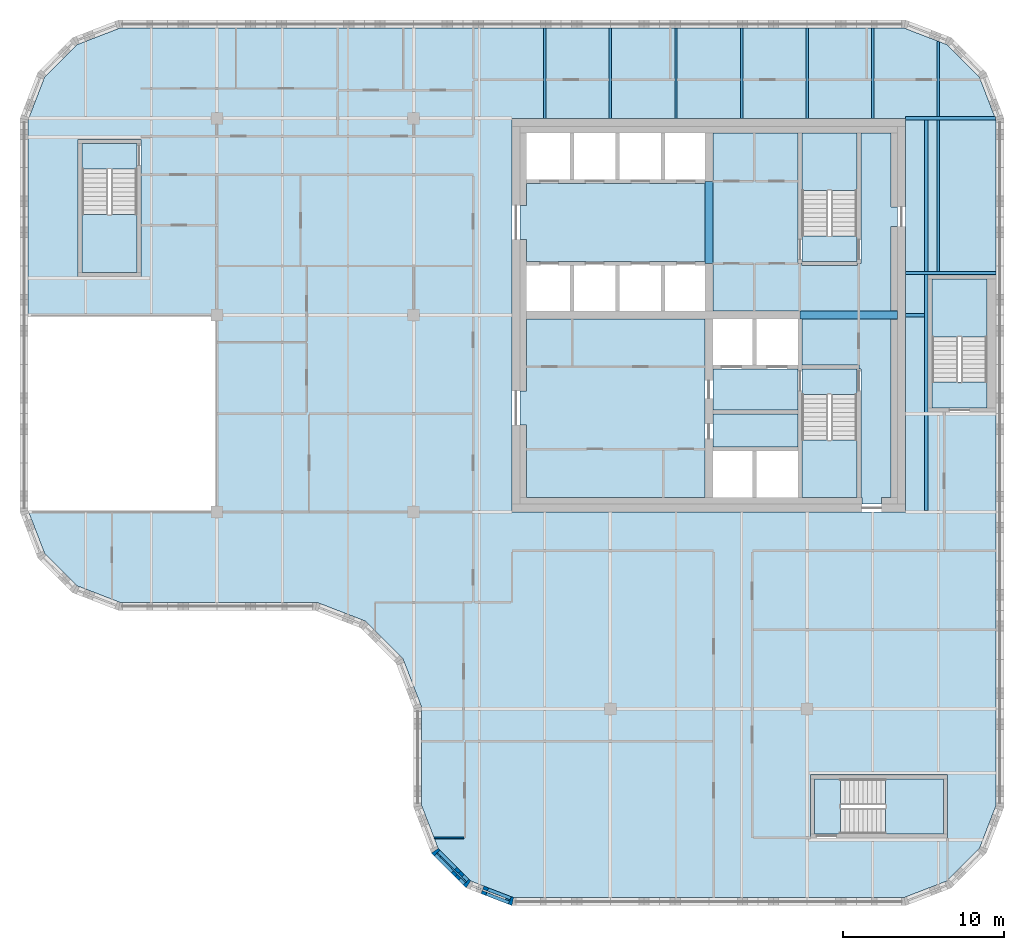
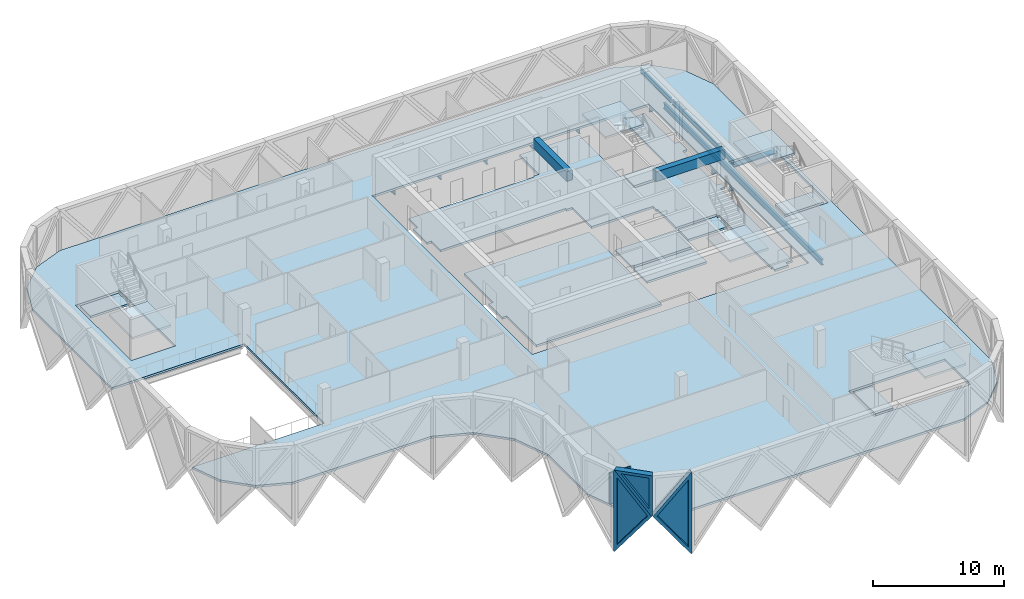
# One storey, part 2 of 15: 15 slabs, 14 beams, 4 walls, 3 plates, 3 openings, 5 elements without a shape of their own.
"""IFC4 building model written with IfcOpenShell, lengths in metres."""

import ifcopenshell
import ifcopenshell.guid

model = None  # the IFC model being written
_history = None  # IfcOwnerHistory: only IFC2X3 demands one
_inside = {}  # id of a spatial element -> (the spatial element, [elements in it])
_under = {}  # id of a project, library or spatial element -> (it, [spatial elements below it])
_declared = {}  # id of a project -> (the project, [libraries it declares])
_typed = {}  # id of a type object -> (the type object, [elements of that type])
_made_of = {}  # id of a material, layer set ... -> (it, [elements and type objects made of it])


def new_model(schema):
    """Start an empty IFC model of exactly this schema.

    Asked for "IFC4X3", IfcOpenShell would pick the latest addendum, in which some entities
    have other attributes; the version numbers below select the first issue.
    IFC2X3 requires an IfcOwnerHistory on every rooted entity: one is made here for all.
    """
    global model, _history
    if schema == "IFC4X3":
        model = ifcopenshell.file(schema_version=(4, 3, 0, 0))
    else:
        model = ifcopenshell.file(schema=schema)
    _inside.clear()
    _under.clear()
    _declared.clear()
    _typed.clear()
    _made_of.clear()
    _history = None
    if model.schema == "IFC2X3":
        org = make("IfcOrganization", Name="unknown")
        user = make(
            "IfcPersonAndOrganization",
            ThePerson=make("IfcPerson", FamilyName="unknown"),
            TheOrganization=org,
        )
        app = make(
            "IfcApplication",
            ApplicationDeveloper=org,
            Version="unknown",
            ApplicationFullName="unknown",
            ApplicationIdentifier="unknown",
        )
        _history = make(
            "IfcOwnerHistory",
            OwningUser=user,
            OwningApplication=app,
            ChangeAction="ADDED",
            CreationDate=0,
        )
    return model


def make(cls, **values):
    """One entity of the class cls with the attributes given. An attribute that is None is left unset."""
    return model.create_entity(
        cls, **{name: value for name, value in values.items() if value is not None}
    )


def rooted(cls, **values):
    """An entity with a GlobalId (a new one), such as an element, a storey or a relation."""
    return make(cls, GlobalId=ifcopenshell.guid.new(), OwnerHistory=_history, **values)


def si_unit(unit_type, name, prefix=None):
    """IfcSIUnit, for example si_unit("LENGTHUNIT", "METRE", prefix="MILLI")."""
    return make("IfcSIUnit", UnitType=unit_type, Prefix=prefix, Name=name)


def assignment(units):
    """IfcUnitAssignment: the units of a project."""
    return None if units is None else make("IfcUnitAssignment", Units=units)


def point(xyz):
    """IfcCartesianPoint."""
    return None if xyz is None else make("IfcCartesianPoint", Coordinates=xyz)


def direction(xyz):
    """IfcDirection."""
    return None if xyz is None else make("IfcDirection", DirectionRatios=xyz)


def frame(location, z_axis=None, x_axis=None):
    """IfcAxis2Placement3D, a coordinate frame: its origin and axes. An axis left out is left unset."""
    return make(
        "IfcAxis2Placement3D",
        Location=point(location),
        Axis=direction(z_axis),
        RefDirection=direction(x_axis),
    )


def frame_2d(location, x_axis=None):
    """IfcAxis2Placement2D, a coordinate frame in the plane: its origin and x axis."""
    return make(
        "IfcAxis2Placement2D", Location=point(location), RefDirection=direction(x_axis)
    )


def origin():
    """The frame at (0, 0, 0) with its axes left unset."""
    return frame((0.0, 0.0, 0.0))


def origin_2d():
    """The frame at (0, 0) in the plane with its x axis left unset."""
    return frame_2d((0.0, 0.0))


def place(relative_to, where):
    """IfcLocalPlacement: puts the frame where relative to a parent placement (None: the world)."""
    return make(
        "IfcLocalPlacement", PlacementRelTo=relative_to, RelativePlacement=where
    )


def context(
    kind, dimensions, precision=None, world=None, true_north=None, identifier=None
):
    """IfcGeometricRepresentationContext, for example the 3D "Model" context."""
    return make(
        "IfcGeometricRepresentationContext",
        ContextIdentifier=identifier,
        ContextType=kind,
        CoordinateSpaceDimension=dimensions,
        Precision=precision,
        WorldCoordinateSystem=world,
        TrueNorth=true_north,
    )


def subcontext(parent, identifier, kind, view, scale=None):
    """IfcGeometricRepresentationSubContext, for example "Body" below "Model"."""
    return make(
        "IfcGeometricRepresentationSubContext",
        ContextIdentifier=identifier,
        ContextType=kind,
        ParentContext=parent,
        TargetScale=scale,
        TargetView=view,
    )


def project(units=None, contexts=None):
    """IfcProject with its units and contexts."""
    return rooted(
        "IfcProject",
        Name="project",
        RepresentationContexts=contexts,
        UnitsInContext=assignment(units),
    )


def spatial(cls, under=None, at=None, **own):
    """A site, building, storey or space (cls), placed at a placement, below another one or the project."""
    s = rooted(cls, ObjectPlacement=at, **own)
    if under is not None:
        _under.setdefault(under.id(), (under, []))[1].append(s)
    return s


def polyline(points):
    """IfcPolyline through the points."""
    return make("IfcPolyline", Points=[point(p) for p in points])


def profile(cls, at=None, kind="AREA", **sizes):
    """A parametric profile (cls). Its sizes go by their IFC names, for example OverallWidth=200.0."""
    return make(cls, ProfileType=kind, Position=at, **sizes)


def rectangle(**sizes):
    """IfcRectangleProfileDef."""
    return profile("IfcRectangleProfileDef", **sizes)


def i_section(**sizes):
    """IfcIShapeProfileDef."""
    return profile("IfcIShapeProfileDef", **sizes)


def outline(outer, holes=None, kind="AREA"):
    """IfcArbitraryClosedProfileDef: a profile drawn as a closed curve; with holes, ...WithVoids."""
    if holes is None:
        return make("IfcArbitraryClosedProfileDef", ProfileType=kind, OuterCurve=outer)
    return make(
        "IfcArbitraryProfileDefWithVoids",
        ProfileType=kind,
        OuterCurve=outer,
        InnerCurves=holes,
    )


def extrude(swept, where, along, depth):
    """IfcExtrudedAreaSolid: the profile swept, set in the frame where, extruded along a direction by depth."""
    return make(
        "IfcExtrudedAreaSolid",
        SweptArea=swept,
        Position=where,
        ExtrudedDirection=direction(along),
        Depth=depth,
    )


def faces_of(points, faces, orient=None, outer=None):
    """IfcFace entities. A face is a list of loops; a loop is a list of indices into points, from 0.

    orient and outer hold one flag for each loop. By default every Orientation is true, the
    first loop of a face is its IfcFaceOuterBound and the others are IfcFaceBound.
    """
    made = []
    for i, loops in enumerate(faces):
        bounds = []
        for j, loop in enumerate(loops):
            is_outer = j == 0 if outer is None else outer[i][j]
            bounds.append(
                make(
                    "IfcFaceOuterBound" if is_outer else "IfcFaceBound",
                    Bound=make("IfcPolyLoop", Polygon=[points[k] for k in loop]),
                    Orientation=True if orient is None else orient[i][j],
                )
            )
        made.append(make("IfcFace", Bounds=bounds))
    return made


def faceted_brep(points, faces, orient=None, outer=None, voids=None):
    """IfcFacetedBrep: a solid bounded by flat faces; with voids (closed shells), ...WithVoids."""
    shared = [point(p) for p in points]
    hull = make("IfcClosedShell", CfsFaces=faces_of(shared, faces, orient, outer))
    if voids is None:
        return make("IfcFacetedBrep", Outer=hull)
    return make(
        "IfcFacetedBrepWithVoids",
        Outer=hull,
        Voids=[
            make(cls, CfsFaces=faces_of(shared, fs, o, b)) for cls, fs, o, b in voids
        ],
    )


def shape(context_of_items, identifier, shape_type, items):
    """IfcShapeRepresentation: the items that make up one representation, for example the "Body"."""
    return make(
        "IfcShapeRepresentation",
        ContextOfItems=context_of_items,
        RepresentationIdentifier=identifier,
        RepresentationType=shape_type,
        Items=items,
    )


def source(mapping_origin, context_of_items, identifier, shape_type, items):
    """IfcRepresentationMap: a shape defined once, which mapped items show again and again."""
    return make(
        "IfcRepresentationMap",
        MappingOrigin=mapping_origin,
        MappedRepresentation=shape(context_of_items, identifier, shape_type, items),
    )


def transform(
    local_origin,
    x_axis=None,
    y_axis=None,
    z_axis=None,
    scale=None,
    scale2=None,
    scale3=None,
    uniform=True,
):
    """IfcCartesianTransformationOperator3D, or its non-uniform kind. x_axis, y_axis, z_axis: its Axis1, 2, 3."""
    if uniform:
        return make(
            "IfcCartesianTransformationOperator3D",
            Axis1=direction(x_axis),
            Axis2=direction(y_axis),
            LocalOrigin=point(local_origin),
            Scale=scale,
            Axis3=direction(z_axis),
        )
    return make(
        "IfcCartesianTransformationOperator3DnonUniform",
        Axis1=direction(x_axis),
        Axis2=direction(y_axis),
        LocalOrigin=point(local_origin),
        Scale=scale,
        Axis3=direction(z_axis),
        Scale2=scale2,
        Scale3=scale3,
    )


def mapped(mapping_source, mapping_target):
    """IfcMappedItem: shows the shape of a source again, moved by a transform."""
    return make(
        "IfcMappedItem", MappingSource=mapping_source, MappingTarget=mapping_target
    )


def material(Name=None, Category=None):
    """IfcMaterial."""
    return make("IfcMaterial", Name=Name, Category=Category)


def layer(
    of_material, thickness, ventilated=None, Name=None, Category=None, Priority=None
):
    """IfcMaterialLayer: one layer of a wall or slab, of a material (None: an air gap)."""
    return make(
        "IfcMaterialLayer",
        Material=of_material,
        LayerThickness=thickness,
        IsVentilated=ventilated,
        Name=Name,
        Category=Category,
        Priority=Priority,
    )


def layer_set(layers, Name=None):
    """IfcMaterialLayerSet."""
    return make("IfcMaterialLayerSet", MaterialLayers=layers, LayerSetName=Name)


def material_profile(
    of_material, cross_section, Name=None, Category=None, Priority=None
):
    """IfcMaterialProfile: a cross section and its material."""
    return make(
        "IfcMaterialProfile",
        Name=Name,
        Material=of_material,
        Profile=cross_section,
        Priority=Priority,
        Category=Category,
    )


def profile_set(profiles, Name=None, composite=None):
    """IfcMaterialProfileSet."""
    return make(
        "IfcMaterialProfileSet",
        Name=Name,
        MaterialProfiles=profiles,
        CompositeProfile=composite,
    )


def made_of(thing, what):
    """Note that an element or type object is made of a material, layer set ...; save() writes the relation."""
    if what is not None:
        _made_of.setdefault(what.id(), (what, []))[1].append(thing)
    return thing


def type_object(cls, material=None, **own):
    """A type object (cls), such as IfcWallType, which elements share."""
    return made_of(rooted(cls, **own), material)


def element(
    cls,
    number,
    at=None,
    inside=None,
    cuts=None,
    type_object=None,
    material=None,
    context=None,
    identifier="Body",
    shape_type=None,
    held_by="IfcProductDefinitionShape",
    body=None,
    shapes=None,
    **own,
):
    """One element of the class cls, such as IfcWall. Its Tag is "e" and its number.

    at: its placement. inside: the storey or other place that contains it. cuts: it is an
    opening in that element (IfcRelVoidsElement). A single representation is given by context,
    identifier, shape_type and body (its items); several are given by shapes. held_by: the class
    of the entity that holds the representations. save() writes the other relations.
    """
    e = rooted(cls, Tag="e%d" % number, ObjectPlacement=at, **own)
    if body is not None:
        shapes = [shape(context, identifier, shape_type, body)]
    if shapes is not None:
        e.Representation = make(held_by, Representations=shapes)
    if inside is not None:
        _inside.setdefault(inside.id(), (inside, []))[1].append(e)
    if cuts is not None:
        rooted(
            "IfcRelVoidsElement", RelatingBuildingElement=cuts, RelatedOpeningElement=e
        )
    if type_object is not None:
        _typed.setdefault(type_object.id(), (type_object, []))[1].append(e)
    return made_of(e, material)


def fill(opening, filler):
    """IfcRelFillsElement: the door or window that sits in an opening."""
    return rooted(
        "IfcRelFillsElement",
        RelatingOpeningElement=opening,
        RelatedBuildingElement=filler,
    )


def aggregate(whole, parts):
    """IfcRelAggregates: a whole, such as a stair, and the parts it consists of."""
    return rooted("IfcRelAggregates", RelatingObject=whole, RelatedObjects=parts)


def save(model, path):
    """Write the relations noted so far, then the file.

    IfcRelAggregates (storeys below a building ...), IfcRelContainedInSpatialStructure (elements
    in a storey), IfcRelDefinesByType, IfcRelAssociatesMaterial and IfcRelDeclares: one each for
    every whole, place, type object, material and project.
    """
    for whole, parts in _under.values():
        aggregate(whole, parts)
    for where, things in _inside.values():
        rooted(
            "IfcRelContainedInSpatialStructure",
            RelatedElements=things,
            RelatingStructure=where,
        )
    for kind, things in _typed.values():
        rooted("IfcRelDefinesByType", RelatedObjects=things, RelatingType=kind)
    for what, things in _made_of.values():
        rooted("IfcRelAssociatesMaterial", RelatedObjects=things, RelatingMaterial=what)
    for by, libraries in _declared.values():
        rooted("IfcRelDeclares", RelatingContext=by, RelatedDefinitions=libraries)
    model.write(path)


model = new_model("IFC4")

# Units and contexts
model_context = context("Model", 3, precision=1e-05, world=origin(), true_north=direction((0.0, 1.0)))
body_context = subcontext(model_context, "Body", "Model", "MODEL_VIEW")
ifc_project = project(units=[si_unit("LENGTHUNIT", "METRE"), si_unit("AREAUNIT", "SQUARE_METRE"), si_unit("VOLUMEUNIT", "CUBIC_METRE"), si_unit("PLANEANGLEUNIT", "RADIAN"), si_unit("MASSUNIT", "GRAM", prefix="KILO")], contexts=[model_context])

# Site, building, storey
site_placement = place(None, origin())
site = spatial("IfcSite", under=ifc_project, at=site_placement, CompositionType="ELEMENT")
building_placement = place(site_placement, origin())
building = spatial("IfcBuilding", under=site, at=building_placement, Name="Tessera Gate Towers", CompositionType="ELEMENT")
storey_placement = place(building_placement, frame((0.0, 0.0, 228.300048828125)))
storey = spatial("IfcBuildingStorey", under=building, at=storey_placement, Name="L57", CompositionType="ELEMENT", Elevation=228.300048828125)

# Beams
ifc_material_1 = material(Name="Concrete C50/60", Category="concrete")
ifc_material_profile_1 = material_profile(ifc_material_1, rectangle(XDim=0.5, YDim=0.89990234375, at=origin_2d()), Name="RC 500x900")
ifc_profile_set_1 = profile_set([ifc_material_profile_1], Name="Concrete C50/60")
beam_type_1 = type_object("IfcBeamType", Name="COUPLING BEAM 500x900 C50/60", PredefinedType="BEAM", material=ifc_profile_set_1)
beam_1_placement = place(storey_placement, frame((48.35009765625, 36.60009765625, 3.050048828125), z_axis=(1.0, 0.0, 0.0), x_axis=(0.0, 1.0, 0.0)))
element("IfcBeam", 1, at=beam_1_placement, inside=storey, type_object=beam_type_1, Name="L57 coupling beam 1", PredefinedType="BEAM", context=body_context, shape_type="SweptSolid", body=[
    extrude(rectangle(XDim=0.5, YDim=0.89990234375, at=origin_2d()), origin(), (0.0, 0.0, 1.0), 6.0498046875),
])
beam_2_placement = place(storey_placement, frame((42.699951171875, 39.800048828125, 3.050048828125), z_axis=(0.0, 1.0, 0.0), x_axis=(-1.0, 0.0, 0.0)))
element("IfcBeam", 2, at=beam_2_placement, inside=storey, type_object=beam_type_1, Name="L57 coupling beam 2", PredefinedType="BEAM", context=body_context, shape_type="SweptSolid", body=[
    extrude(rectangle(XDim=0.5, YDim=0.89990234375, at=origin_2d()), origin(), (0.0, 0.0, 1.0), 5.099853515625),
])
ifc_material_2 = material(Name="Steel 350W", Category="steel")
ifc_material_profile_2 = material_profile(ifc_material_2, i_section(OverallWidth=0.208984375, OverallDepth=0.532958984375, WebThickness=0.01025390625, FlangeThickness=0.015625, at=origin_2d()), Name="W530x92")
ifc_profile_set_2 = profile_set([ifc_material_profile_2], Name="Steel 350W")
beam_type_2 = type_object("IfcBeamType", Name="FLOOR GIRDER W530x92", PredefinedType="BEAM", material=ifc_profile_set_2)
beam_3_placement = place(storey_placement, frame((54.89892578125, 36.60009765625, -0.466552734375), z_axis=(1.0, 0.0, 0.0), x_axis=(0.0, 1.0, 0.0)))
element("IfcBeam", 3, at=beam_3_placement, inside=storey, type_object=beam_type_2, Name="T1-GD-L57-5784", PredefinedType="BEAM", context=body_context, shape_type="SweptSolid", body=[
    extrude(i_section(OverallWidth=0.208984375, OverallDepth=0.532958984375, WebThickness=0.01025390625, FlangeThickness=0.015625, at=origin_2d()), origin(), (0.0, 0.0, 1.0), 1.176513671875),
])
beam_4_placement = place(storey_placement, frame((54.90087890625, 48.800048828125, -0.466552734375), z_axis=(1.0, 0.0, 0.0), x_axis=(0.0, 1.0, 0.0)))
element("IfcBeam", 4, at=beam_4_placement, inside=storey, type_object=beam_type_2, Name="T1-GD-L57-5788", PredefinedType="BEAM", context=body_context, shape_type="SweptSolid", body=[
    extrude(i_section(OverallWidth=0.208984375, OverallDepth=0.532958984375, WebThickness=0.01025390625, FlangeThickness=0.015625, at=origin_2d()), origin(), (0.0, 0.0, 1.0), 5.564208984375),
])
beam_5_placement = place(storey_placement, frame((54.89892578125, 39.219970703125, -0.466552734375), z_axis=(1.0, 0.0, 0.0), x_axis=(0.0, 1.0, 0.0)))
element("IfcBeam", 5, at=beam_5_placement, inside=storey, type_object=beam_type_2, Name="T1-GD-L57-5806", PredefinedType="BEAM", context=body_context, shape_type="SweptSolid", body=[
    extrude(i_section(OverallWidth=0.208984375, OverallDepth=0.532958984375, WebThickness=0.01025390625, FlangeThickness=0.015625, at=origin_2d()), origin(), (0.0, 0.0, 1.0), 5.60205078125),
])
beam_6_placement = place(storey_placement, frame((56.179931640625, 24.50439453125, -0.466552734375), z_axis=(0.0, 1.0, 0.0), x_axis=(-1.0, 0.0, 0.0)))
element("IfcBeam", 6, at=beam_6_placement, inside=storey, type_object=beam_type_2, Name="T1-GD-L57-5807", PredefinedType="BEAM", context=body_context, shape_type="SweptSolid", body=[
    extrude(i_section(OverallWidth=0.208984375, OverallDepth=0.532958984375, WebThickness=0.01025390625, FlangeThickness=0.015625, at=origin_2d()), origin(), (0.0, 0.0, 1.0), 24.191162109375),
])
ifc_material_3 = material(Name="Steel 350W", Category="steel")
ifc_material_profile_3 = material_profile(ifc_material_3, i_section(OverallWidth=0.153076171875, OverallDepth=0.455078125, WebThickness=0.008056640625, FlangeThickness=0.01318359375, at=origin_2d()), Name="W460x60")
ifc_profile_set_3 = profile_set([ifc_material_profile_3], Name="Steel 350W")
beam_type_3 = type_object("IfcBeamType", Name="FLOOR SECONDARY W460x60", PredefinedType="BEAM", material=ifc_profile_set_3)
for number, where, z_axis, x_axis, name in (
    (7, (32.533203125, 48.800048828125, -0.427490234375), (0.0, 1.0, 0.0), (-1.0, 0.0, 0.0), "T1-BM-L57-5829"),
    (8, (36.60009765625, 48.800048828125, -0.427490234375), (0.0, 1.0, 0.0), (-1.0, 0.0, 0.0), "T1-BM-L57-5830"),
    (9, (40.666748046875, 48.800048828125, -0.427490234375), (0.0, 1.0, 0.0), (-1.0, 0.0, 0.0), "T1-BM-L57-5833"),
    (10, (44.7333984375, 48.800048828125, -0.427490234375), (0.0, 1.0, 0.0), (-1.0, 0.0, 0.0), "T1-BM-L57-5836"),
    (11, (48.800048828125, 48.800048828125, -0.427490234375), (0.0, 1.0, 0.0), (-1.0, 0.0, 0.0), "T1-BM-L57-5837"),
    (12, (52.86669921875, 48.800048828125, -0.427490234375), (0.0, 1.0, 0.0), (-1.0, 0.0, 0.0), "T1-BM-L57-5841"),
):
    element("IfcBeam", number, at=place(storey_placement, frame(where, z_axis=z_axis, x_axis=x_axis)), inside=storey, type_object=beam_type_3, Name=name, PredefinedType="BEAM", context=body_context, shape_type="SweptSolid", body=[
        extrude(i_section(OverallWidth=0.153076171875, OverallDepth=0.455078125, WebThickness=0.008056640625, FlangeThickness=0.01318359375, at=origin_2d()), origin(), (0.0, 0.0, 1.0), 5.599853515625),
    ])
beam_7_placement = place(storey_placement, frame((56.933349609375, 39.324462890625, -0.427490234375), z_axis=(0.0, 1.0, 0.0), x_axis=(-1.0, 0.0, 0.0)))
element("IfcBeam", 13, at=beam_7_placement, inside=storey, type_object=beam_type_3, Name="T1-BM-L57-5846", PredefinedType="BEAM", context=body_context, shape_type="SweptSolid", body=[
    extrude(i_section(OverallWidth=0.153076171875, OverallDepth=0.455078125, WebThickness=0.008056640625, FlangeThickness=0.01318359375, at=origin_2d()), origin(), (0.0, 0.0, 1.0), 9.37109375),
])
beam_8_placement = place(storey_placement, frame((56.933349609375, 48.904541015625, -0.427490234375), z_axis=(0.0, 1.0, 0.0), x_axis=(-1.0, 0.0, 0.0)))
element("IfcBeam", 14, at=beam_8_placement, inside=storey, type_object=beam_type_3, Name="T1-BM-L57-5847", PredefinedType="BEAM", context=body_context, shape_type="SweptSolid", body=[
    extrude(i_section(OverallWidth=0.153076171875, OverallDepth=0.455078125, WebThickness=0.008056640625, FlangeThickness=0.01318359375, at=origin_2d()), origin(), (0.0, 0.0, 1.0), 4.675048828125),
])

# Slabs
ifc_material_4 = material(Name="Concrete C35/45", Category="concrete")
ifc_layer_1 = layer(ifc_material_4, 0.199951171875)
ifc_layer_set_1 = layer_set([ifc_layer_1], Name="COMPOSITE FLOOR 200")
slab_type_1 = type_object("IfcSlabType", Name="COMPOSITE FLOOR 200", PredefinedType="FLOOR", material=ifc_layer_set_1)
slab_1_placement = place(storey_placement, frame((0.0, 0.0, -0.199951171875)))
element("IfcSlab", 15, at=slab_1_placement, inside=storey, type_object=slab_type_1, Name="T1-L57", PredefinedType="FLOOR", context=body_context, shape_type="SweptSolid", body=[
    extrude(outline(polyline([(0.5, 36.60009765625), (12.199951171875, 36.60009765625), (12.199951171875, 24.39990234375), (0.535888671875, 24.39990234375), (1.526123046875, 21.8330078125), (3.533203125, 19.826171875), (6.193115234375, 18.800048828125), (18.39306640625, 18.800048828125), (21.42431640625, 17.630615234375), (23.730712890625, 15.32421875), (24.89990234375, 12.293212890625), (24.89990234375, 6.193115234375), (25.926025390625, 3.533203125), (27.93310546875, 1.526123046875), (30.593017578125, 0.5), (54.806884765625, 0.5), (57.466796875, 1.526123046875), (59.473876953125, 3.533203125), (60.5, 6.193115234375), (60.5, 48.706787109375), (59.473876953125, 51.366943359375), (57.466796875, 53.373779296875), (54.806884765625, 54.39990234375), (6.193115234375, 54.39990234375), (3.533203125, 53.373779296875), (1.526123046875, 51.366943359375), (0.5, 48.706787109375), (0.5, 36.60009765625)]), holes=[polyline([(3.60009765625, 39.0), (3.60009765625, 47.5), (7.5, 47.5), (7.5, 39.0), (3.60009765625, 39.0)]), polyline([(30.5, 24.39990234375), (30.5, 48.800048828125), (54.89990234375, 48.800048828125), (54.89990234375, 24.39990234375), (30.5, 24.39990234375)]), polyline([(49.0, 4.199951171875), (49.0, 8.10009765625), (57.5, 8.10009765625), (57.5, 4.199951171875), (49.0, 4.199951171875)]), polyline([(56.300048828125, 30.60009765625), (56.300048828125, 39.10009765625), (60.199951171875, 39.10009765625), (60.199951171875, 30.60009765625), (56.300048828125, 30.60009765625)])]), origin(), (0.0, 0.0, 1.0), 0.199951171875),
])
ifc_material_5 = material(Name="Concrete C35/45", Category="concrete")
ifc_layer_2 = layer(ifc_material_5, 0.199951171875)
ifc_layer_set_2 = layer_set([ifc_layer_2], Name="CORE FLOOR SLAB 200")
slab_type_2 = type_object("IfcSlabType", Name="CORE FLOOR SLAB 200", PredefinedType="FLOOR", material=ifc_layer_set_2)
slab_2_placement = place(storey_placement, frame((0.0, 0.0, -0.199951171875)))
element("IfcSlab", 16, at=slab_2_placement, inside=storey, type_object=slab_type_2, Name="L57 core floor slab", PredefinedType="FLOOR", context=body_context, shape_type="SweptSolid", body=[
    extrude(outline(polyline([(42.449951171875, 44.89990234375), (42.449951171875, 44.77490234375), (31.39990234375, 44.77490234375), (31.39990234375, 43.39990234375), (31.0, 43.39990234375), (31.0, 41.300048828125), (31.39990234375, 41.300048828125), (31.39990234375, 39.925048828125), (42.449951171875, 39.925048828125), (42.449951171875, 39.800048828125), (42.949951171875, 39.800048828125), (42.949951171875, 36.85009765625), (48.35009765625, 36.85009765625), (48.35009765625, 36.35009765625), (48.47509765625, 36.35009765625), (48.47509765625, 33.52490234375), (52.0, 33.52490234375), (52.0, 33.27490234375), (52.125, 33.27490234375), (52.125, 25.300048828125), (52.199951171875, 25.300048828125), (52.199951171875, 24.89990234375), (53.39990234375, 24.89990234375), (53.39990234375, 25.300048828125), (54.0, 25.300048828125), (54.0, 36.320068359375), (54.39990234375, 36.320068359375), (54.39990234375, 36.8798828125), (54.0, 36.8798828125), (54.0, 42.10009765625), (54.39990234375, 42.10009765625), (54.39990234375, 43.300048828125), (54.0, 43.300048828125), (54.0, 47.89990234375), (52.125, 47.89990234375), (52.125, 39.800048828125), (51.875, 39.800048828125), (51.875, 39.675048828125), (48.47509765625, 39.675048828125), (48.47509765625, 39.800048828125), (48.22509765625, 39.800048828125), (48.22509765625, 47.89990234375), (42.949951171875, 47.89990234375), (42.949951171875, 44.89990234375), (42.449951171875, 44.89990234375)])), origin(), (0.0, 0.0, 1.0), 0.199951171875),
])
slab_3_placement = place(storey_placement, frame((0.0, 0.0, -0.199951171875)))
element("IfcSlab", 17, at=slab_3_placement, inside=storey, type_object=slab_type_2, Name="L57 core floor slab", PredefinedType="FLOOR", context=body_context, shape_type="SweptSolid", body=[
    extrude(outline(polyline([(31.39990234375, 36.35009765625), (31.39990234375, 31.89990234375), (31.0, 31.89990234375), (31.0, 29.800048828125), (31.39990234375, 29.800048828125), (31.39990234375, 25.300048828125), (42.449951171875, 25.300048828125), (42.449951171875, 36.35009765625), (31.39990234375, 36.35009765625)])), origin(), (0.0, 0.0, 1.0), 0.199951171875),
])
slab_4_placement = place(storey_placement, frame((0.0, 0.0, -0.199951171875)))
element("IfcSlab", 18, at=slab_4_placement, inside=storey, type_object=slab_type_2, Name="L57 core floor slab", PredefinedType="FLOOR", context=body_context, shape_type="SweptSolid", body=[
    extrude(outline(polyline([(42.949951171875, 33.27490234375), (42.949951171875, 30.72509765625), (48.22509765625, 30.72509765625), (48.22509765625, 33.27490234375), (42.949951171875, 33.27490234375)])), origin(), (0.0, 0.0, 1.0), 0.199951171875),
])
slab_5_placement = place(storey_placement, frame((0.0, 0.0, -0.199951171875)))
element("IfcSlab", 19, at=slab_5_placement, inside=storey, type_object=slab_type_2, Name="L57 core floor slab", PredefinedType="FLOOR", context=body_context, shape_type="SweptSolid", body=[
    extrude(outline(polyline([(48.22509765625, 30.47509765625), (42.949951171875, 30.47509765625), (42.949951171875, 28.425048828125), (48.22509765625, 28.425048828125), (48.22509765625, 30.47509765625)])), origin(), (0.0, 0.0, 1.0), 0.199951171875),
])
slab_6_placement = place(storey_placement, frame((0.0, 0.0, -0.199951171875)))
element("IfcSlab", 20, at=slab_6_placement, inside=storey, type_object=slab_type_2, Name="L57 core floor slab", PredefinedType="FLOOR", context=body_context, shape_type="SweptSolid", body=[
    extrude(outline(polyline([(51.875, 31.675048828125), (51.875, 33.27490234375), (48.47509765625, 33.27490234375), (48.47509765625, 31.675048828125), (51.875, 31.675048828125)])), origin(), (0.0, 0.0, 1.0), 0.199951171875),
])
slab_7_placement = place(storey_placement, frame((0.0, 0.0, -0.199951171875)))
element("IfcSlab", 21, at=slab_7_placement, inside=storey, type_object=slab_type_2, Name="L57 core floor slab", PredefinedType="FLOOR", context=body_context, shape_type="SweptSolid", body=[
    extrude(outline(polyline([(48.47509765625, 41.52490234375), (48.47509765625, 39.925048828125), (51.875, 39.925048828125), (51.875, 41.52490234375), (48.47509765625, 41.52490234375)])), origin(), (0.0, 0.0, 1.0), 0.199951171875),
])
slab_8_placement = place(storey_placement, frame((0.0, 0.0, -0.199951171875)))
element("IfcSlab", 22, at=slab_8_placement, inside=storey, type_object=slab_type_2, Name="L57 ST3 floor landing", PredefinedType="FLOOR", context=body_context, shape_type="SweptSolid", body=[
    extrude(outline(polyline([(3.85009765625, 47.25), (3.85009765625, 45.64990234375), (7.25, 45.64990234375), (7.25, 47.25), (3.85009765625, 47.25)])), origin(), (0.0, 0.0, 1.0), 0.199951171875),
])
slab_9_placement = place(storey_placement, frame((0.0, 0.0, -0.199951171875)))
element("IfcSlab", 23, at=slab_9_placement, inside=storey, type_object=slab_type_2, Name="L57 ST4 floor landing", PredefinedType="FLOOR", context=body_context, shape_type="SweptSolid", body=[
    extrude(outline(polyline([(49.25, 4.449951171875), (50.85009765625, 4.449951171875), (50.85009765625, 7.85009765625), (49.25, 7.85009765625), (49.25, 4.449951171875)])), origin(), (0.0, 0.0, 1.0), 0.199951171875),
])
slab_10_placement = place(storey_placement, frame((0.0, 0.0, -0.199951171875)))
element("IfcSlab", 24, at=slab_10_placement, inside=storey, type_object=slab_type_2, Name="L57 ST5 floor landing", PredefinedType="FLOOR", context=body_context, shape_type="SweptSolid", body=[
    extrude(outline(polyline([(59.949951171875, 30.85009765625), (59.949951171875, 32.449951171875), (56.550048828125, 32.449951171875), (56.550048828125, 30.85009765625), (59.949951171875, 30.85009765625)])), origin(), (0.0, 0.0, 1.0), 0.199951171875),
])

# Stair, slab
ifc_material_6 = material(Name="Concrete C40/50", Category="concrete")
stair_type_1 = type_object("IfcStairType", Name="EXIT STAIR ST1 1600", PredefinedType="HALF_TURN_STAIR", material=ifc_material_6)
stair_1_placement = place(storey_placement, origin())
stair_1 = element("IfcStair", 25, at=stair_1_placement, inside=storey, type_object=stair_type_1, Name="L57 Protected Exit Stair ST1", PredefinedType="HALF_TURN_STAIR")
ifc_material_7 = material(Name="Concrete C40/50", Category="concrete")
ifc_layer_3 = layer(ifc_material_7, 0.199951171875)
ifc_layer_set_3 = layer_set([ifc_layer_3], Name="EXIT STAIR LANDING 200")
slab_type_3 = type_object("IfcSlabType", Name="EXIT STAIR LANDING 200", PredefinedType="LANDING", material=ifc_layer_set_3)
slab_11_placement = place(storey_placement, frame((0.0, 0.0, 1.699951171875)))
slab_11 = element("IfcSlab", 26, at=slab_11_placement, type_object=slab_type_3, Name="ST1 landing 1", PredefinedType="LANDING", context=body_context, shape_type="SweptSolid", body=[
    extrude(outline(polyline([(48.47509765625, 28.875), (48.47509765625, 25.300048828125), (51.875, 25.300048828125), (51.875, 28.875), (48.47509765625, 28.875)])), origin(), (0.0, 0.0, 1.0), 0.199951171875),
])
aggregate(stair_1, [slab_11])

ifc_material_8 = material(Name="Concrete C40/50", Category="concrete")
stair_type_2 = type_object("IfcStairType", Name="EXIT STAIR ST2 1600", PredefinedType="HALF_TURN_STAIR", material=ifc_material_8)
stair_2_placement = place(storey_placement, origin())
stair_2 = element("IfcStair", 27, at=stair_2_placement, inside=storey, type_object=stair_type_2, Name="L57 Protected Exit Stair ST2", PredefinedType="HALF_TURN_STAIR")
slab_12_placement = place(storey_placement, frame((0.0, 0.0, 1.699951171875)))
slab_12 = element("IfcSlab", 28, at=slab_12_placement, type_object=slab_type_3, Name="ST2 landing 1", PredefinedType="LANDING", context=body_context, shape_type="SweptSolid", body=[
    extrude(outline(polyline([(51.875, 44.324951171875), (51.875, 47.89990234375), (48.47509765625, 47.89990234375), (48.47509765625, 44.324951171875), (51.875, 44.324951171875)])), origin(), (0.0, 0.0, 1.0), 0.199951171875),
])
aggregate(stair_2, [slab_12])

ifc_material_9 = material(Name="Concrete C40/50", Category="concrete")
stair_type_3 = type_object("IfcStairType", Name="EXIT STAIR ST3 1600", PredefinedType="HALF_TURN_STAIR", material=ifc_material_9)
stair_3_placement = place(storey_placement, origin())
stair_3 = element("IfcStair", 29, at=stair_3_placement, inside=storey, type_object=stair_type_3, Name="L57 West Exit Stair ST3", PredefinedType="HALF_TURN_STAIR")
slab_13_placement = place(storey_placement, frame((0.0, 0.0, 1.699951171875)))
slab_13 = element("IfcSlab", 30, at=slab_13_placement, type_object=slab_type_3, Name="ST3 landing 1", PredefinedType="LANDING", context=body_context, shape_type="SweptSolid", body=[
    extrude(outline(polyline([(3.85009765625, 42.85009765625), (3.85009765625, 39.25), (7.25, 39.25), (7.25, 42.85009765625), (3.85009765625, 42.85009765625)])), origin(), (0.0, 0.0, 1.0), 0.199951171875),
])
aggregate(stair_3, [slab_13])

ifc_material_10 = material(Name="Concrete C40/50", Category="concrete")
stair_type_4 = type_object("IfcStairType", Name="EXIT STAIR ST4 1600", PredefinedType="HALF_TURN_STAIR", material=ifc_material_10)
stair_4_placement = place(storey_placement, origin())
stair_4 = element("IfcStair", 31, at=stair_4_placement, inside=storey, type_object=stair_type_4, Name="L57 South Exit Stair ST4", PredefinedType="HALF_TURN_STAIR")
slab_14_placement = place(storey_placement, frame((0.0, 0.0, 1.699951171875)))
slab_14 = element("IfcSlab", 32, at=slab_14_placement, type_object=slab_type_3, Name="ST4 landing 1", PredefinedType="LANDING", context=body_context, shape_type="SweptSolid", body=[
    extrude(outline(polyline([(53.64990234375, 4.449951171875), (57.25, 4.449951171875), (57.25, 7.85009765625), (53.64990234375, 7.85009765625), (53.64990234375, 4.449951171875)])), origin(), (0.0, 0.0, 1.0), 0.199951171875),
])
aggregate(stair_4, [slab_14])

ifc_material_11 = material(Name="Concrete C40/50", Category="concrete")
stair_type_5 = type_object("IfcStairType", Name="EXIT STAIR ST5 1600", PredefinedType="HALF_TURN_STAIR", material=ifc_material_11)
stair_5_placement = place(storey_placement, origin())
stair_5 = element("IfcStair", 33, at=stair_5_placement, inside=storey, type_object=stair_type_5, Name="L57 East Exit Stair ST5", PredefinedType="HALF_TURN_STAIR")
slab_15_placement = place(storey_placement, frame((0.0, 0.0, 1.699951171875)))
slab_15 = element("IfcSlab", 34, at=slab_15_placement, type_object=slab_type_3, Name="ST5 landing 1", PredefinedType="LANDING", context=body_context, shape_type="SweptSolid", body=[
    extrude(outline(polyline([(59.949951171875, 35.25), (59.949951171875, 38.85009765625), (56.550048828125, 38.85009765625), (56.550048828125, 35.25), (59.949951171875, 35.25)])), origin(), (0.0, 0.0, 1.0), 0.199951171875),
])
aggregate(stair_5, [slab_15])

# Wall
ifc_material_12 = material(Name="Glass", Category="glass")
ifc_layer_4 = layer(ifc_material_12, 0.10009765625)
ifc_layer_set_4 = layer_set([ifc_layer_4], Name="GLAZED PARTITION 100")
wall_type_1 = type_object("IfcWallType", Name="GLAZED PARTITION 100", PredefinedType="PARTITIONING", material=ifc_layer_set_4)
wall_1_placement = place(storey_placement, frame((25.668701171875, 4.199951171875, 0.0), z_axis=(0.0, 0.0, 1.0), x_axis=(1.0, 0.0, 0.0)))
element("IfcWall", 35, at=wall_1_placement, inside=storey, type_object=wall_type_1, Name="T1-L57-PW-003", PredefinedType="PARTITIONING", context=body_context, shape_type="SweptSolid", body=[
    extrude(rectangle(XDim=1.855224609375, YDim=0.10009765625, at=frame_2d((0.927734375, 0.0))), origin(), (0.0, 0.0, 1.0), 2.887939453125),
])

# Wall, opening, plate
ifc_material_13 = material(Name="Precast concrete C60/75 white", Category="concrete")
ifc_layer_5 = layer(ifc_material_13, 0.5)
ifc_layer_set_5 = layer_set([ifc_layer_5], Name="TS3 corner tessera")
wall_type_2 = type_object("IfcWallType", Name="TS3 corner tessera", PredefinedType="SOLIDWALL", material=ifc_layer_set_5)
shared_shape_1 = source(origin(), body_context, "Body", "Brep", [
    faceted_brep([(0.052978515625, -0.25, 0.0), (2.9970703125, -0.25, 3.800048828125), (0.052978515625, -0.25, 7.60009765625), (0.0, -0.25, 7.531982421875), (0.0, -0.25, 0.068115234375), (0.10595703125, 0.25, 7.53173828125), (2.944091796875, 0.25, 3.8681640625), (2.944091796875, 0.25, 3.73193359375), (0.10595703125, 0.25, 0.068359375), (2.9970703125, 0.000244140625, 3.800048828125), (0.052978515625, 0.0, 0.0), (0.052978515625, 0.0, 7.60009765625)], [[[0, 1, 2, 3, 4]], [[5, 6, 7, 8]], [[8, 7, 9, 1, 0, 10]], [[6, 5, 11, 2, 1, 9]], [[3, 2, 11]], [[10, 0, 4]], [[8, 10, 4, 3, 11, 5]], [[9, 7, 6]]]),
])
wall_2_placement = place(storey_placement, frame((25.674560546875, 3.43115234375, -3.800048828125), z_axis=(0.0, 0.0, 1.0), x_axis=(0.707106781187, -0.707106781187, 0.0)))
wall_2 = element("IfcWall", 36, at=wall_2_placement, inside=storey, type_object=wall_type_2, Name="Precast corner tessera T1 TS3-1344", PredefinedType="SOLIDWALL", context=body_context, shape_type="MappedRepresentation", body=[
    mapped(shared_shape_1, transform((0.0, 0.0, 0.0), scale=1.0)),
])
shared_shape_2 = source(origin(), body_context, "Body", "SweptSolid", [
    extrude(outline(polyline([(0.2529296875, 0.666259765625), (2.680908203125, 3.800048828125), (0.2529296875, 6.93359375), (0.2529296875, 0.666259765625)])), frame((0.0, 0.260009765625, 0.0), z_axis=(0.0, -1.0, 0.0), x_axis=(1.0, 0.0, 0.0)), (0.0, 0.0, 1.0), 0.52001953125),
])
opening_1_placement = place(wall_2_placement, origin())
opening_1 = element("IfcOpeningElement", 37, at=opening_1_placement, cuts=wall_2, Name="Opening T1-PL2-2114", PredefinedType="OPENING", context=body_context, shape_type="MappedRepresentation", body=[
    mapped(shared_shape_2, transform((0.0, 0.0, 0.0), scale=1.0)),
])
ifc_material_14 = material(Name="Low-e laminated glass", Category="glass")
ifc_layer_6 = layer(ifc_material_14, 0.06005859375)
ifc_layer_set_6 = layer_set([ifc_layer_6], Name="PL2 rhombic pane")
plate_type_1 = type_object("IfcPlateType", Name="PL2 rhombic pane", PredefinedType="SHEET", material=ifc_layer_set_6)
shared_shape_3 = source(origin(), body_context, "Body", "SweptSolid", [
    extrude(outline(polyline([(0.2529296875, 0.666259765625), (2.680908203125, 3.800048828125), (0.2529296875, 6.93359375), (0.2529296875, 0.666259765625)])), frame((0.0, 0.030029296875, 0.0), z_axis=(0.0, -1.0, 0.0), x_axis=(1.0, 0.0, 0.0)), (0.0, 0.0, 1.0), 0.06005859375),
])
plate_1_placement = place(opening_1_placement, origin())
plate_1 = element("IfcPlate", 38, at=plate_1_placement, inside=storey, type_object=plate_type_1, Name="Glass pane T1 PL2-2114", PredefinedType="SHEET", context=body_context, shape_type="MappedRepresentation", body=[
    mapped(shared_shape_3, transform((0.0, 0.0, 0.0), scale=1.0)),
])
fill(opening_1, plate_1)

shared_shape_4 = source(origin(), body_context, "Body", "Brep", [
    faceted_brep([(2.950439453125, -0.25, 0.0), (2.9970703125, -0.25, 0.05908203125), (2.9970703125, -0.25, 7.541015625), (2.950439453125, -0.25, 7.60009765625), (0.0, -0.25, 3.800048828125), (0.052978515625, 0.25, 3.8681640625), (2.904052734375, 0.25, 7.540283203125), (2.904052734375, 0.25, 0.059814453125), (0.052978515625, 0.25, 3.73193359375), (2.950439453125, 0.00048828125, 0.0), (2.950439453125, 0.00048828125, 7.60009765625), (0.0, 0.0, 3.800048828125)], [[[0, 1, 2, 3, 4]], [[5, 6, 7, 8]], [[1, 0, 9]], [[10, 3, 2]], [[6, 5, 11, 4, 3, 10]], [[8, 7, 9, 0, 4, 11]], [[8, 11, 5]], [[1, 9, 7, 6, 10, 2]]]),
])
wall_3_placement = place(storey_placement, frame((27.793701171875, 1.31201171875, -3.800048828125), z_axis=(0.0, 0.0, 1.0), x_axis=(0.932973525033, -0.359944998003, 0.0)))
wall_3 = element("IfcWall", 39, at=wall_3_placement, inside=storey, type_object=wall_type_2, Name="Precast corner tessera T1 TS3-1322", PredefinedType="SOLIDWALL", context=body_context, shape_type="MappedRepresentation", body=[
    mapped(shared_shape_4, transform((0.0, 0.0, 0.0), scale=1.0)),
])
shared_shape_5 = source(origin(), body_context, "Body", "SweptSolid", [
    extrude(outline(polyline([(2.75048828125, 6.934814453125), (0.31640625, 3.800048828125), (2.75048828125, 0.665283203125), (2.75048828125, 6.934814453125)])), frame((0.0, 0.260009765625, 0.0), z_axis=(0.0, -1.0, 0.0), x_axis=(1.0, 0.0, 0.0)), (0.0, 0.0, 1.0), 0.52001953125),
])
opening_2_placement = place(wall_3_placement, origin())
opening_2 = element("IfcOpeningElement", 40, at=opening_2_placement, cuts=wall_3, Name="Opening T1-PL2-2069", PredefinedType="OPENING", context=body_context, shape_type="MappedRepresentation", body=[
    mapped(shared_shape_5, transform((0.0, 0.0, 0.0), scale=1.0)),
])
shared_shape_6 = source(origin(), body_context, "Body", "SweptSolid", [
    extrude(outline(polyline([(2.75048828125, 6.934814453125), (0.31640625, 3.800048828125), (2.75048828125, 0.665283203125), (2.75048828125, 6.934814453125)])), frame((0.0, 0.030029296875, 0.0), z_axis=(0.0, -1.0, 0.0), x_axis=(1.0, 0.0, 0.0)), (0.0, 0.0, 1.0), 0.06005859375),
])
plate_2_placement = place(opening_2_placement, origin())
plate_2 = element("IfcPlate", 41, at=plate_2_placement, inside=storey, type_object=plate_type_1, Name="Glass pane T1 PL2-2069", PredefinedType="SHEET", context=body_context, shape_type="MappedRepresentation", body=[
    mapped(shared_shape_6, transform((0.0, 0.0, 0.0), scale=1.0)),
])
fill(opening_2, plate_2)

shared_shape_7 = source(origin(), body_context, "Body", "Brep", [
    faceted_brep([(2.944091796875, -0.25, 0.0), (2.9970703125, -0.25, 0.068115234375), (2.9970703125, -0.25, 3.800048828125), (0.0, -0.25, 3.800048828125), (0.052978515625, 0.25, 3.800048828125), (2.89111328125, 0.25, 3.800048828125), (2.89111328125, 0.25, 0.068115234375), (0.052978515625, 0.25, 3.731689453125), (2.944091796875, 0.000244140625, 0.0), (0.0, 0.0, 3.800048828125)], [[[0, 1, 2, 3]], [[4, 5, 6, 7]], [[1, 0, 8]], [[5, 4, 9, 3, 2]], [[7, 6, 8, 0, 3, 9]], [[7, 9, 4]], [[1, 8, 6, 5, 2]]]),
])
wall_4_placement = place(storey_placement, frame((25.7119140625, 3.393798828125, 0.0), z_axis=(0.0, 0.0, 1.0), x_axis=(0.707066050402, -0.707147509625, 0.0)))
wall_4 = element("IfcWall", 42, at=wall_4_placement, inside=storey, type_object=wall_type_2, Name="Precast corner tessera T1 TS3-1367", PredefinedType="SOLIDWALL", context=body_context, shape_type="MappedRepresentation", body=[
    mapped(shared_shape_7, transform((0.0, 0.0, 0.0), scale=1.0)),
])
shared_shape_8 = source(origin(), body_context, "Body", "SweptSolid", [
    extrude(outline(polyline([(2.744140625, 3.550048828125), (0.510009765625, 3.550048828125), (2.744140625, 0.666259765625), (2.744140625, 3.550048828125)])), frame((0.0, 0.260009765625, 0.0), z_axis=(0.0, -1.0, 0.0), x_axis=(1.0, 0.0, 0.0)), (0.0, 0.0, 1.0), 0.52001953125),
])
opening_3_placement = place(wall_4_placement, origin())
opening_3 = element("IfcOpeningElement", 43, at=opening_3_placement, cuts=wall_4, Name="Opening T1-PL1-0562", PredefinedType="OPENING", context=body_context, shape_type="MappedRepresentation", body=[
    mapped(shared_shape_8, transform((0.0, 0.0, 0.0), scale=1.0)),
])
ifc_material_15 = material(Name="Low-e laminated glass", Category="glass")
ifc_layer_7 = layer(ifc_material_15, 0.06005859375)
ifc_layer_set_7 = layer_set([ifc_layer_7], Name="PL1 triangular pane")
plate_type_2 = type_object("IfcPlateType", Name="PL1 triangular pane", PredefinedType="SHEET", material=ifc_layer_set_7)
shared_shape_9 = source(origin(), body_context, "Body", "SweptSolid", [
    extrude(outline(polyline([(2.744140625, 3.550048828125), (0.510009765625, 3.550048828125), (2.744140625, 0.666259765625), (2.744140625, 3.550048828125)])), frame((0.0, 0.030029296875, 0.0), z_axis=(0.0, -1.0, 0.0), x_axis=(1.0, 0.0, 0.0)), (0.0, 0.0, 1.0), 0.06005859375),
])
plate_3_placement = place(opening_3_placement, origin())
plate_3 = element("IfcPlate", 44, at=plate_3_placement, inside=storey, type_object=plate_type_2, Name="Glass pane T1 PL1-0562", PredefinedType="SHEET", context=body_context, shape_type="MappedRepresentation", body=[
    mapped(shared_shape_9, transform((0.0, 0.0, 0.0), scale=1.0)),
])
fill(opening_3, plate_3)

save(model, "model.ifc")
